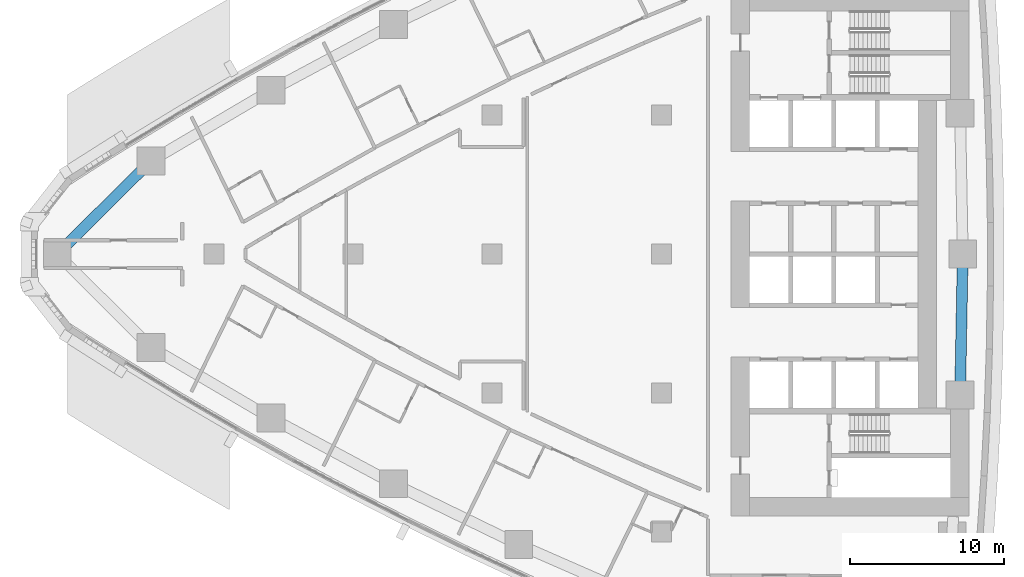
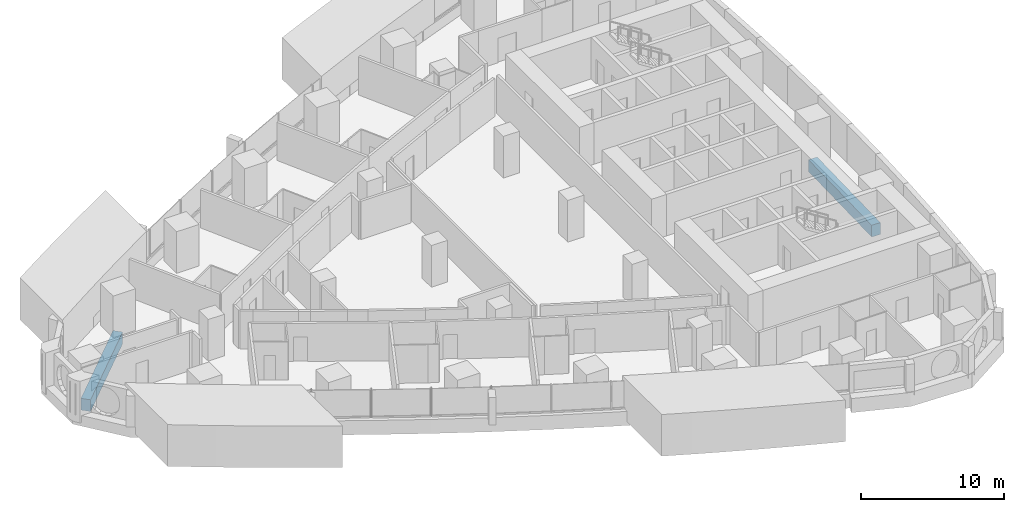
# One storey, part 4 of 18: 2 beams.
"""IFC4 building model written with IfcOpenShell, lengths in metres."""

from ifc_helpers import new_model, si_unit, direction, frame, origin, origin_2d, place, context, subcontext, project, spatial, rectangle, extrude, material, material_profile, profile_set, type_object, element, save


model = new_model("IFC4")

# Units and contexts
model_context = context("Model", 3, precision=1e-05, world=origin(), true_north=direction((0.0, 1.0)))
body_context = subcontext(model_context, "Body", "Model", "MODEL_VIEW")
ifc_project = project(units=[si_unit("LENGTHUNIT", "METRE"), si_unit("AREAUNIT", "SQUARE_METRE"), si_unit("VOLUMEUNIT", "CUBIC_METRE"), si_unit("PLANEANGLEUNIT", "RADIAN"), si_unit("MASSUNIT", "GRAM", prefix="KILO")], contexts=[model_context])

# Site, building, storey
site_placement = place(None, origin())
site = spatial("IfcSite", under=ifc_project, at=site_placement, CompositionType="ELEMENT")
building_placement = place(site_placement, origin())
building = spatial("IfcBuilding", under=site, at=building_placement, Name="Ostrand Prow Hotel Tower", CompositionType="ELEMENT")
storey_placement = place(building_placement, frame((0.0, 0.0, 57.35009765625)))
storey = spatial("IfcBuildingStorey", under=building, at=storey_placement, Name="L12", CompositionType="ELEMENT", Elevation=57.35009765625)

# Beams
ifc_material = material(Name="Concrete C80/95", Category="concrete")
ifc_material_profile = material_profile(ifc_material, rectangle(XDim=0.699951171875, YDim=1.0, at=origin_2d()), Name="RC 700x1000")
ifc_profile_set = profile_set([ifc_material_profile], Name="Concrete C80/95")
beam_type = type_object("IfcBeamType", Name="Edge beam 700x1000 C80/95", PredefinedType="SPANDREL", material=ifc_profile_set)
beam_1_placement = place(storey_placement, frame((64.328369140625, -9.130859375, -0.800048828125), z_axis=(0.018793471688, 0.999823387115, 0.0), x_axis=(-0.999823387115, 0.018793471688, 0.0)))
element("IfcBeam", 1, at=beam_1_placement, inside=storey, type_object=beam_type, Name="Edge beam B2-B3", PredefinedType="SPANDREL", context=body_context, shape_type="SweptSolid", body=[
    extrude(rectangle(XDim=0.699951171875, YDim=1.0, at=origin_2d()), origin(), (0.0, 0.0, 1.0), 9.132568359375),
])
beam_2_placement = place(storey_placement, frame((11.926513671875, 6.0419921875, -0.800048828125), z_axis=(-0.709211674915, -0.70499560294, 0.0), x_axis=(0.70499560294, -0.709211674915, 0.0)))
element("IfcBeam", 2, at=beam_2_placement, inside=storey, type_object=beam_type, Name="Edge beam N6-P", PredefinedType="SPANDREL", context=body_context, shape_type="SweptSolid", body=[
    extrude(rectangle(XDim=0.699951171875, YDim=1.0, at=origin_2d()), origin(), (0.0, 0.0, 1.0), 8.5703125),
])

save(model, "model.ifc")
